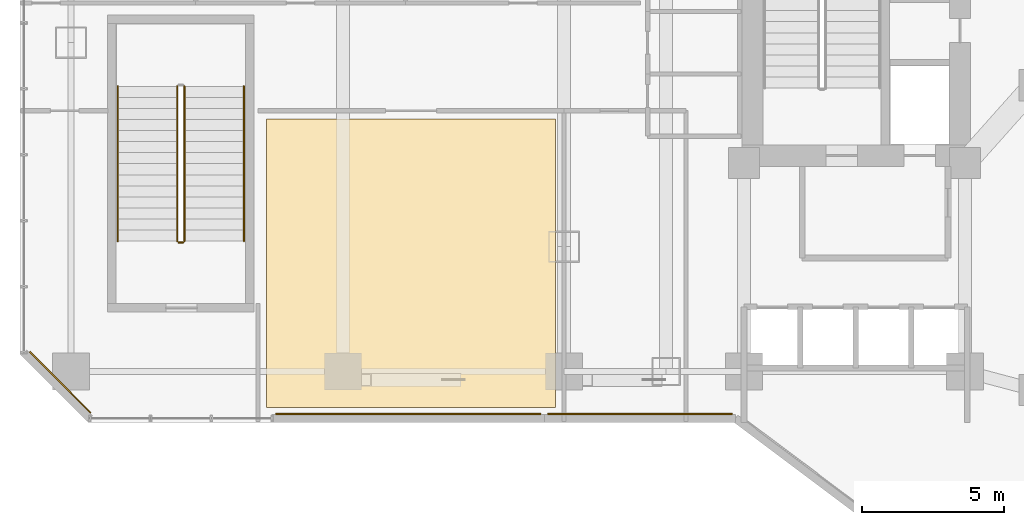
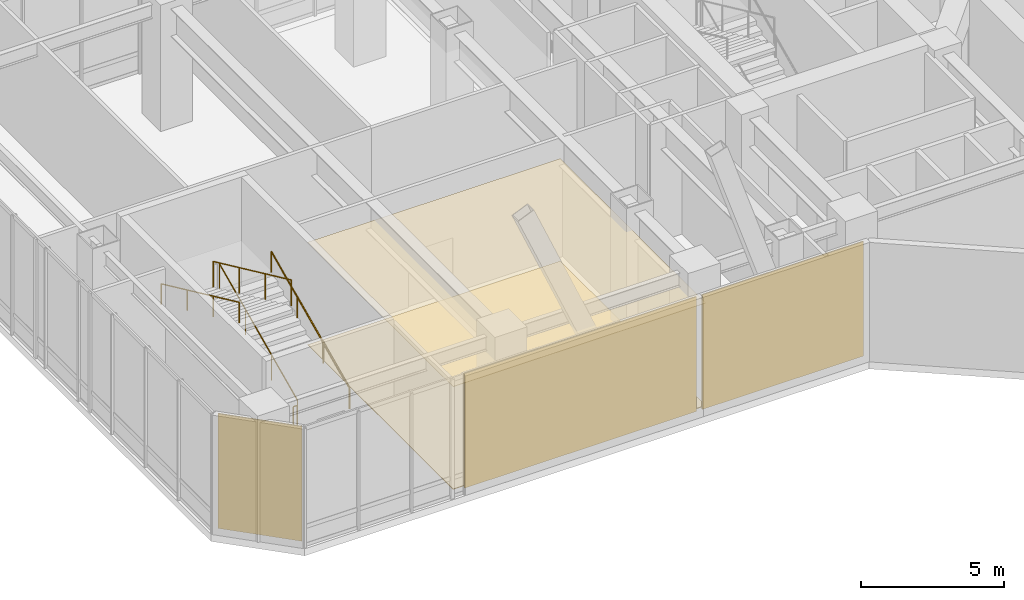
# One storey, part 31 of 35: 5 coverings, 5 railings.
"""IFC4 building model written with IfcOpenShell, lengths in metres."""

from ifc_helpers import new_model, si_unit, direction, frame, origin, origin_2d, place, context, subcontext, project, spatial, polyline, rectangle, circle, outline, extrude, material, layer, layer_set, type_object, element, save


model = new_model("IFC4")

# Units and contexts
model_context = context("Model", 3, precision=1e-05, world=origin(), true_north=direction((0.0, 1.0)))
body_context = subcontext(model_context, "Body", "Model", "MODEL_VIEW")
ifc_project = project(units=[si_unit("LENGTHUNIT", "METRE"), si_unit("AREAUNIT", "SQUARE_METRE"), si_unit("VOLUMEUNIT", "CUBIC_METRE"), si_unit("PLANEANGLEUNIT", "RADIAN"), si_unit("MASSUNIT", "GRAM", prefix="KILO")], contexts=[model_context])

# Site, building, storey
site_placement = place(None, origin())
site = spatial("IfcSite", under=ifc_project, at=site_placement, CompositionType="ELEMENT")
building_placement = place(site_placement, origin())
building = spatial("IfcBuilding", under=site, at=building_placement, Name="Hatsunagi Terrace Concourse", CompositionType="ELEMENT")
storey_placement = place(building_placement, frame((0.0, 0.0, 10.800048828125)))
storey = spatial("IfcBuildingStorey", under=building, at=storey_placement, Name="L03", CompositionType="ELEMENT", Elevation=10.800048828125)

# Coverings
ifc_material_1 = material(Name="Acoustic mineral board", Category="gypsum")
ifc_layer_1 = layer(ifc_material_1, 0.02001953125)
ifc_layer_set_1 = layer_set([ifc_layer_1], Name="AcousticMineralCeiling_20")
covering_type_1 = type_object("IfcCoveringType", Name="AcousticMineralCeiling_20", PredefinedType="CEILING", material=ifc_layer_set_1)
covering_1_placement = place(storey_placement, frame((0.0, 0.0, 4.3798828125)))
element("IfcCovering", 1, at=covering_1_placement, inside=storey, type_object=covering_type_1, Name="Suspended Ceiling L03-1", PredefinedType="CEILING", context=body_context, shape_type="SweptSolid", body=[
    extrude(outline(polyline([(8.699951171875, 23.929931640625), (18.89990234375, 23.929931640625), (18.89990234375, 34.10009765625), (8.699951171875, 34.10009765625), (8.699951171875, 23.929931640625)])), origin(), (0.0, 0.0, 1.0), 0.02001953125),
])
ifc_material_2 = material(Name="Granite stone paving", Category="masonry")
ifc_layer_2 = layer(ifc_material_2, 0.02490234375)
ifc_layer_set_2 = layer_set([ifc_layer_2], Name="GraniteStoneFlooring_25")
covering_type_2 = type_object("IfcCoveringType", Name="GraniteStoneFlooring_25", PredefinedType="FLOORING", material=ifc_layer_set_2)
covering_2_placement = place(storey_placement, origin())
element("IfcCovering", 2, at=covering_2_placement, inside=storey, type_object=covering_type_2, Name="Finished Flooring L03-1", PredefinedType="FLOORING", context=body_context, shape_type="SweptSolid", body=[
    extrude(outline(polyline([(8.699951171875, 23.929931640625), (18.89990234375, 23.929931640625), (18.89990234375, 34.10009765625), (8.699951171875, 34.10009765625), (8.699951171875, 23.929931640625)])), origin(), (0.0, 0.0, 1.0), 0.02490234375),
])

# Railings
ifc_material_3 = material(Name="Stainless steel", Category="steel")
ifc_layer_3 = layer(ifc_material_3, 0.050048828125)
ifc_layer_set_3 = layer_set([ifc_layer_3], Name="StairPitchHandrail_Podium2200")
railing_type_1 = type_object("IfcRailingType", Name="StairPitchHandrail_Podium2200", PredefinedType="HANDRAIL", material=ifc_layer_set_3)
railing_1_placement = place(storey_placement, frame((7.89990234375, 29.800048828125, 0.179931640625)))
element("IfcRailing", 3, at=railing_1_placement, inside=storey, type_object=railing_type_1, Name="L03 ST-P1 stair handrail 1", PredefinedType="HANDRAIL", context=body_context, shape_type="SweptSolid", body=[
    extrude(circle(Radius=0.02392578125, at=origin_2d()), frame((0.0, 0.0, 0.8759765625), z_axis=(0.0, 0.907957007956, 0.419063326602), x_axis=(-1.0, 0.0, 0.0)), (0.0, 0.0, 1.0), 6.013427734375),
    extrude(circle(Radius=0.02099609375, at=origin_2d()), origin(), (0.0, 0.0, 1.0), 0.851806640625),
    extrude(circle(Radius=0.02099609375, at=origin_2d()), frame((0.0, 1.820068359375, 0.840087890625)), (0.0, 0.0, 1.0), 0.851806640625),
    extrude(circle(Radius=0.02099609375, at=origin_2d()), frame((0.0, 3.639892578125, 1.679931640625)), (0.0, 0.0, 1.0), 0.851806640625),
    extrude(circle(Radius=0.02099609375, at=origin_2d()), frame((0.0, 5.4599609375, 2.52001953125)), (0.0, 0.0, 1.0), 0.851806640625),
])
railing_2_placement = place(storey_placement, frame((3.449951171875, 35.260009765625, 2.8798828125)))
element("IfcRailing", 4, at=railing_2_placement, inside=storey, type_object=railing_type_1, Name="L03 ST-P1 stair handrail 2", PredefinedType="HANDRAIL", context=body_context, shape_type="SweptSolid", body=[
    extrude(circle(Radius=0.02392578125, at=origin_2d()), frame((0.0, 0.0, 0.8759765625), z_axis=(0.0, -0.907957007956, 0.419063326602), x_axis=(1.0, 0.0, 0.0)), (0.0, 0.0, 1.0), 6.013427734375),
    extrude(circle(Radius=0.02099609375, at=origin_2d()), origin(), (0.0, 0.0, 1.0), 0.851806640625),
    extrude(circle(Radius=0.02099609375, at=origin_2d()), frame((0.0, -1.820068359375, 0.840087890625)), (0.0, 0.0, 1.0), 0.851806640625),
    extrude(circle(Radius=0.02099609375, at=origin_2d()), frame((0.0, -3.639892578125, 1.679931640625)), (0.0, 0.0, 1.0), 0.851806640625),
    extrude(circle(Radius=0.02099609375, at=origin_2d()), frame((0.0, -5.4599609375, 2.52001953125)), (0.0, 0.0, 1.0), 0.851806640625),
])
ifc_material_4 = material(Name="Stainless steel", Category="steel")
ifc_layer_4 = layer(ifc_material_4, 0.06494140625)
ifc_layer_set_4 = layer_set([ifc_layer_4], Name="StairWellGuard_Podium2200")
railing_type_2 = type_object("IfcRailingType", Name="StairWellGuard_Podium2200", PredefinedType="BALUSTRADE", material=ifc_layer_set_4)
railing_3_placement = place(storey_placement, frame((5.800048828125, 29.800048828125, 0.179931640625)))
element("IfcRailing", 5, at=railing_3_placement, inside=storey, type_object=railing_type_2, Name="L03 ST-P1 stair guard 1", PredefinedType="BALUSTRADE", context=body_context, shape_type="SweptSolid", body=[
    extrude(circle(Radius=0.02392578125, at=origin_2d()), frame((0.0, 0.0, 1.09619140625), z_axis=(0.0, 0.907957007956, 0.419063326602), x_axis=(-1.0, 0.0, 0.0)), (0.0, 0.0, 1.0), 6.013427734375),
    extrude(circle(Radius=0.02099609375, at=origin_2d()), origin(), (0.0, 0.0, 1.0), 1.072021484375),
    extrude(circle(Radius=0.02099609375, at=origin_2d()), frame((0.0, 1.820068359375, 0.840087890625)), (0.0, 0.0, 1.0), 1.072021484375),
    extrude(circle(Radius=0.02099609375, at=origin_2d()), frame((0.0, 3.639892578125, 1.679931640625)), (0.0, 0.0, 1.0), 1.072021484375),
    extrude(circle(Radius=0.02099609375, at=origin_2d()), frame((0.0, 5.4599609375, 2.52001953125)), (0.0, 0.0, 1.0), 1.072021484375),
])
railing_4_placement = place(storey_placement, frame((5.550048828125, 35.260009765625, 2.8798828125)))
element("IfcRailing", 6, at=railing_4_placement, inside=storey, type_object=railing_type_2, Name="L03 ST-P1 stair guard 3", PredefinedType="BALUSTRADE", context=body_context, shape_type="SweptSolid", body=[
    extrude(circle(Radius=0.02392578125, at=origin_2d()), frame((0.0, 0.0, 1.09619140625), z_axis=(0.0, -0.907957007956, 0.419063326602), x_axis=(1.0, 0.0, 0.0)), (0.0, 0.0, 1.0), 6.013427734375),
    extrude(circle(Radius=0.02099609375, at=origin_2d()), origin(), (0.0, 0.0, 1.0), 1.072021484375),
    extrude(circle(Radius=0.02099609375, at=origin_2d()), frame((0.0, -1.820068359375, 0.840087890625)), (0.0, 0.0, 1.0), 1.072021484375),
    extrude(circle(Radius=0.02099609375, at=origin_2d()), frame((0.0, -3.639892578125, 1.679931640625)), (0.0, 0.0, 1.0), 1.072021484375),
    extrude(circle(Radius=0.02099609375, at=origin_2d()), frame((0.0, -5.4599609375, 2.52001953125)), (0.0, 0.0, 1.0), 1.072021484375),
])
railing_5_placement = place(storey_placement, frame((5.75, 29.75, 0.0)))
element("IfcRailing", 7, at=railing_5_placement, inside=storey, type_object=railing_type_2, Name="L03 ST-P1 stair guard 4", PredefinedType="BALUSTRADE", context=body_context, shape_type="SweptSolid", body=[
    extrude(circle(Radius=0.02392578125, at=origin_2d()), frame((0.0, 0.0, 1.09619140625), z_axis=(-1.0, 0.0, 0.0), x_axis=(0.0, -1.0, 0.0)), (0.0, 0.0, 1.0), 0.14990234375),
    extrude(circle(Radius=0.02099609375, at=origin_2d()), origin(), (0.0, 0.0, 1.0), 1.072021484375),
    extrude(circle(Radius=0.02099609375, at=origin_2d()), frame((-0.14990234375, 0.0, 0.0)), (0.0, 0.0, 1.0), 1.072021484375),
])

# Coverings
ifc_material_5 = material(Name="Unglazed Warm Terracotta Rainscreen Tile", Category="masonry")
ifc_layer_5 = layer(ifc_material_5, 0.044921875)
ifc_layer_set_5 = layer_set([ifc_layer_5], Name="TerracottaRainscreenCladding_45")
covering_type_3 = type_object("IfcCoveringType", Name="TerracottaRainscreenCladding_45", PredefinedType="CLADDING", material=ifc_layer_set_5)
covering_3_placement = place(storey_placement, frame((21.873046875, 23.701904296875, 0.10009765625), z_axis=(0.0, 0.0, 1.0), x_axis=(-1.0, 0.0, 0.0)))
element("IfcCovering", 8, at=covering_3_placement, inside=storey, type_object=covering_type_3, Name="Terracotta Rainscreen Cladding L03-06", PredefinedType="CLADDING", context=body_context, shape_type="SweptSolid", body=[
    extrude(rectangle(XDim=6.507080078125, YDim=0.044921875, at=origin_2d()), origin(), (0.0, 0.0, 1.0), 4.89990234375),
])
covering_4_placement = place(storey_placement, frame((13.699951171875, 23.701904296875, 0.10009765625), z_axis=(0.0, 0.0, 1.0), x_axis=(-1.0, 0.0, 0.0)))
element("IfcCovering", 9, at=covering_4_placement, inside=storey, type_object=covering_type_3, Name="Terracotta Rainscreen Cladding L03-07", PredefinedType="CLADDING", context=body_context, shape_type="SweptSolid", body=[
    extrude(rectangle(XDim=9.360107421875, YDim=0.044921875, at=origin_2d()), origin(), (0.0, 0.0, 1.0), 4.89990234375),
])
covering_5_placement = place(storey_placement, frame((1.4140625, 24.81396484375, 0.10009765625), z_axis=(0.0, 0.0, 1.0), x_axis=(-0.707106781187, 0.707106781187, 0.0)))
element("IfcCovering", 10, at=covering_5_placement, inside=storey, type_object=covering_type_3, Name="Terracotta Rainscreen Cladding L03-09", PredefinedType="CLADDING", context=body_context, shape_type="SweptSolid", body=[
    extrude(rectangle(XDim=3.0380859375, YDim=0.044921875, at=origin_2d()), origin(), (0.0, 0.0, 1.0), 4.89990234375),
])

save(model, "model.ifc")
